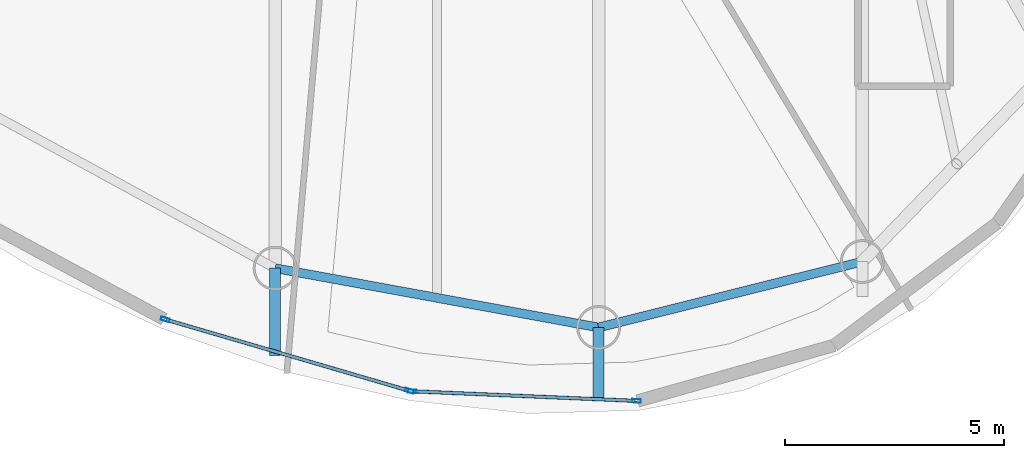
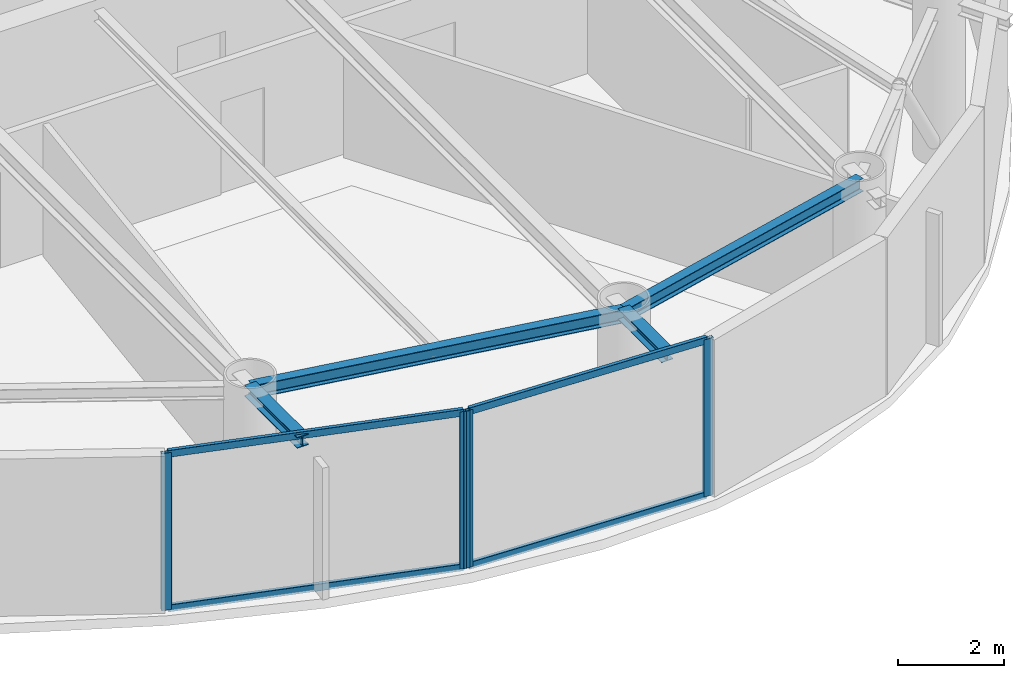
# One storey, part 2 of 18: 8 members, 4 beams, 2 elements without a shape of their own.
"""IFC4 building model written with IfcOpenShell, lengths in metres."""

from ifc_helpers import new_model, si_unit, direction, frame, origin, origin_2d, place, context, subcontext, project, spatial, hollow_rectangle, i_section, extrude, material, layer, layer_set, material_profile, profile_set, type_object, element, aggregate, save


model = new_model("IFC4")

# Units and contexts
model_context = context("Model", 3, precision=1e-05, world=origin(), true_north=direction((0.0, 1.0)))
body_context = subcontext(model_context, "Body", "Model", "MODEL_VIEW")
ifc_project = project(units=[si_unit("LENGTHUNIT", "METRE"), si_unit("AREAUNIT", "SQUARE_METRE"), si_unit("VOLUMEUNIT", "CUBIC_METRE"), si_unit("PLANEANGLEUNIT", "RADIAN"), si_unit("MASSUNIT", "GRAM", prefix="KILO")], contexts=[model_context])

# Site, building, storey
site_placement = place(None, origin())
site = spatial("IfcSite", under=ifc_project, at=site_placement, CompositionType="ELEMENT")
building_placement = place(site_placement, origin())
building = spatial("IfcBuilding", under=site, at=building_placement, Name="Bramvorn Convention Spire", CompositionType="ELEMENT")
storey_placement = place(building_placement, frame((0.0, 0.0, 288.25)))
storey = spatial("IfcBuildingStorey", under=building, at=storey_placement, Name="L73", CompositionType="ELEMENT", Elevation=288.25)

# Beams
ifc_material_1 = material(Name="Steel CSA G40.21 Grade 350 (350W)", Category="steel")
ifc_material_profile_1 = material_profile(ifc_material_1, i_section(OverallWidth=0.25390625, OverallDepth=0.2529296875, WebThickness=0.008544921875, FlangeThickness=0.01416015625, FilletRadius=0.011962890625, at=origin_2d()))
ifc_profile_set_1 = profile_set([ifc_material_profile_1], Name="Steel CSA G40.21 Grade 350 (350W) - W250X73")
beam_type_1 = type_object("IfcBeamType", Name="BM-W250X73", PredefinedType="BEAM", material=ifc_profile_set_1)
beam_1_placement = place(storey_placement, frame((35.8154296875, 6.44921875, 3.49853515625), z_axis=(0.0, -1.0, 0.0), x_axis=(1.0, 0.0, 0.0)))
element("IfcBeam", 1, at=beam_1_placement, inside=storey, type_object=beam_type_1, Name="L73 slab-edge cantilever tip beam MC15", PredefinedType="BEAM", context=body_context, shape_type="SweptSolid", body=[
    extrude(i_section(OverallWidth=0.25390625, OverallDepth=0.2529296875, WebThickness=0.008544921875, FlangeThickness=0.01416015625, FilletRadius=0.011962890625, at=origin_2d()), origin(), (0.0, 0.0, 1.0), 1.99462890625),
])
beam_2_placement = place(storey_placement, frame((43.1884765625, 5.09912109375, 3.49853515625), z_axis=(0.0, -1.0, 0.0), x_axis=(1.0, 0.0, 0.0)))
element("IfcBeam", 2, at=beam_2_placement, inside=storey, type_object=beam_type_1, Name="L73 slab-edge cantilever tip beam MC16", PredefinedType="BEAM", context=body_context, shape_type="SweptSolid", body=[
    extrude(i_section(OverallWidth=0.25390625, OverallDepth=0.2529296875, WebThickness=0.008544921875, FlangeThickness=0.01416015625, FilletRadius=0.011962890625, at=origin_2d()), origin(), (0.0, 0.0, 1.0), 1.645751953125),
])
ifc_material_profile_2 = material_profile(ifc_material_1, i_section(OverallWidth=0.202880859375, OverallDepth=0.302978515625, WebThickness=0.007568359375, FlangeThickness=0.01318359375, FilletRadius=0.013916015625, at=origin_2d()))
ifc_profile_set_2 = profile_set([ifc_material_profile_2], Name="Steel CSA G40.21 Grade 350 (350W) - W310X60")
beam_type_2 = type_object("IfcBeamType", Name="BM-W310X60", PredefinedType="JOIST", material=ifc_profile_set_2)
beam_3_placement = place(storey_placement, frame((35.8154296875, 6.44921875, 3.473388671875), z_axis=(0.983645049461, -0.180117785547, 0.0), x_axis=(0.180117785547, 0.983645049461, 0.0)))
element("IfcBeam", 3, at=beam_3_placement, inside=storey, type_object=beam_type_2, Name="L73 mega-column ring beam 15", PredefinedType="JOIST", context=body_context, shape_type="SweptSolid", body=[
    extrude(i_section(OverallWidth=0.202880859375, OverallDepth=0.302978515625, WebThickness=0.007568359375, FlangeThickness=0.01318359375, FilletRadius=0.013916015625, at=origin_2d()), origin(), (0.0, 0.0, 1.0), 7.49560546875),
])
beam_4_placement = place(storey_placement, frame((43.1884765625, 5.09912109375, 3.473388671875), z_axis=(0.970177255997, 0.24239655927, 0.0), x_axis=(-0.24239655927, 0.970177255997, 0.0)))
element("IfcBeam", 4, at=beam_4_placement, inside=storey, type_object=beam_type_2, Name="L73 mega-column ring beam 16", PredefinedType="JOIST", context=body_context, shape_type="SweptSolid", body=[
    extrude(i_section(OverallWidth=0.202880859375, OverallDepth=0.302978515625, WebThickness=0.007568359375, FlangeThickness=0.01318359375, FilletRadius=0.013916015625, at=origin_2d()), origin(), (0.0, 0.0, 1.0), 6.1962890625),
])

# Curtain wall, members
ifc_material_2 = material(Name="Anodised Bronze Unitised Curtain Wall", Category="aluminium")
ifc_layer = layer(ifc_material_2, 0.179931640625)
ifc_layer_set = layer_set([ifc_layer], Name="Anodised Bronze Unitised Curtain Wall - CW-OFF-FRIT")
curtain_wall_type = type_object("IfcCurtainWallType", Name="CW-OFF-FRIT", PredefinedType="USERDEFINED", material=ifc_layer_set)
curtain_wall_1_placement = place(storey_placement, origin())
curtain_wall_1 = element("IfcCurtainWall", 5, at=curtain_wall_1_placement, inside=storey, type_object=curtain_wall_type, Name="L73 fritted glass curtain wall 22", ObjectType="UNITISED CURTAIN WALL", PredefinedType="USERDEFINED")
ifc_material_3 = material(Name="Anodised Bronze Aluminium 6063-T6", Category="aluminium")
ifc_material_profile_3 = material_profile(ifc_material_3, hollow_rectangle(XDim=0.080078125, YDim=0.199951171875, WallThickness=0.00390625, InnerFilletRadius=0.0009765625, OuterFilletRadius=0.00390625, at=origin_2d()))
ifc_profile_set_3 = profile_set([ifc_material_profile_3], Name="Anodised Bronze Aluminium 6063-T6 - CWM80X200")
member_type_1 = type_object("IfcMemberType", Name="CW-MUL-180", PredefinedType="MULLION", material=ifc_profile_set_3)
member_1_placement = place(storey_placement, frame((38.876708984375, 3.654296875, 0.0), z_axis=(0.0, 0.0, 1.0), x_axis=(-0.280560219523, -0.959836425242, 0.0)))
member_1 = element("IfcMember", 6, at=member_1_placement, type_object=member_type_1, Name="CW3 mullion 1", PredefinedType="MULLION", context=body_context, shape_type="SweptSolid", body=[
    extrude(hollow_rectangle(XDim=0.080078125, YDim=0.199951171875, WallThickness=0.00390625, InnerFilletRadius=0.0009765625, OuterFilletRadius=0.00390625, at=origin_2d()), origin(), (0.0, 0.0, 1.0), 3.625),
])
member_2_placement = place(storey_placement, frame((33.309814453125, 5.28173828125, 0.0), z_axis=(0.0, 0.0, 1.0), x_axis=(-0.280560219523, -0.959836425242, 0.0)))
member_2 = element("IfcMember", 7, at=member_2_placement, type_object=member_type_1, Name="CW3 mullion 2", PredefinedType="MULLION", context=body_context, shape_type="SweptSolid", body=[
    extrude(hollow_rectangle(XDim=0.080078125, YDim=0.199951171875, WallThickness=0.00390625, InnerFilletRadius=0.0009765625, OuterFilletRadius=0.00390625, at=origin_2d()), origin(), (0.0, 0.0, 1.0), 3.625),
])

curtain_wall_2_placement = place(storey_placement, origin())
curtain_wall_2 = element("IfcCurtainWall", 8, at=curtain_wall_2_placement, inside=storey, type_object=curtain_wall_type, Name="L73 fritted glass curtain wall 23", ObjectType="UNITISED CURTAIN WALL", PredefinedType="USERDEFINED")
member_3_placement = place(storey_placement, frame((44.050048828125, 3.425537109375, 0.0), z_axis=(0.0, 0.0, 1.0), x_axis=(-0.04282554751, -0.999082565397, 0.0)))
member_3 = element("IfcMember", 9, at=member_3_placement, type_object=member_type_1, Name="CW3 mullion 1", PredefinedType="MULLION", context=body_context, shape_type="SweptSolid", body=[
    extrude(hollow_rectangle(XDim=0.080078125, YDim=0.199951171875, WallThickness=0.00390625, InnerFilletRadius=0.0009765625, OuterFilletRadius=0.00390625, at=origin_2d()), origin(), (0.0, 0.0, 1.0), 3.625),
])
member_4_placement = place(storey_placement, frame((38.935546875, 3.644775390625, 0.0), z_axis=(0.0, 0.0, 1.0), x_axis=(-0.04282554751, -0.999082565397, 0.0)))
member_4 = element("IfcMember", 10, at=member_4_placement, type_object=member_type_1, Name="CW3 mullion 2", PredefinedType="MULLION", context=body_context, shape_type="SweptSolid", body=[
    extrude(hollow_rectangle(XDim=0.080078125, YDim=0.199951171875, WallThickness=0.00390625, InnerFilletRadius=0.0009765625, OuterFilletRadius=0.00390625, at=origin_2d()), origin(), (0.0, 0.0, 1.0), 3.625),
])

# Member
ifc_material_profile_4 = material_profile(ifc_material_3, hollow_rectangle(XDim=0.080078125, YDim=0.159912109375, WallThickness=0.00390625, InnerFilletRadius=0.0009765625, OuterFilletRadius=0.00390625, at=origin_2d()))
ifc_profile_set_4 = profile_set([ifc_material_profile_4], Name="Anodised Bronze Aluminium 6063-T6 - CWT80X160")
member_type_2 = type_object("IfcMemberType", Name="CW-TRN-150", PredefinedType="USERDEFINED", material=ifc_profile_set_4)
member_5_placement = place(storey_placement, frame((38.847900390625, 3.662841796875, 0.030029296875), z_axis=(-0.959840260589, 0.280547097924, 0.0), x_axis=(-0.280547097924, -0.959840260589, 0.0)))
member_5 = element("IfcMember", 11, at=member_5_placement, type_object=member_type_2, Name="CW3 transom 1.1", ObjectType="TRANSOM", PredefinedType="USERDEFINED", context=body_context, shape_type="SweptSolid", body=[
    extrude(hollow_rectangle(XDim=0.080078125, YDim=0.159912109375, WallThickness=0.00390625, InnerFilletRadius=0.0009765625, OuterFilletRadius=0.00390625, at=origin_2d()), origin(), (0.0, 0.0, 1.0), 5.739990234375),
])

member_6_placement = place(storey_placement, frame((38.847900390625, 3.662841796875, 3.594970703125), z_axis=(-0.959840260589, 0.280547097924, 0.0), x_axis=(-0.280547097924, -0.959840260589, 0.0)))
member_6 = element("IfcMember", 12, at=member_6_placement, type_object=member_type_2, Name="CW3 transom 1.2", ObjectType="TRANSOM", PredefinedType="USERDEFINED", context=body_context, shape_type="SweptSolid", body=[
    extrude(hollow_rectangle(XDim=0.080078125, YDim=0.159912109375, WallThickness=0.00390625, InnerFilletRadius=0.0009765625, OuterFilletRadius=0.00390625, at=origin_2d()), origin(), (0.0, 0.0, 1.0), 5.739990234375),
])

aggregate(curtain_wall_1, [member_1, member_2, member_5, member_6])

member_7_placement = place(storey_placement, frame((44.02001953125, 3.4267578125, 0.030029296875), z_axis=(-0.99908345607, 0.042804763828, 0.0), x_axis=(-0.042804763828, -0.99908345607, 0.0)))
member_7 = element("IfcMember", 13, at=member_7_placement, type_object=member_type_2, Name="CW3 transom 1.1", ObjectType="TRANSOM", PredefinedType="USERDEFINED", context=body_context, shape_type="SweptSolid", body=[
    extrude(hollow_rectangle(XDim=0.080078125, YDim=0.159912109375, WallThickness=0.00390625, InnerFilletRadius=0.0009765625, OuterFilletRadius=0.00390625, at=origin_2d()), origin(), (0.0, 0.0, 1.0), 5.05908203125),
])

member_8_placement = place(storey_placement, frame((44.02001953125, 3.4267578125, 3.594970703125), z_axis=(-0.99908345607, 0.042804763828, 0.0), x_axis=(-0.042804763828, -0.99908345607, 0.0)))
member_8 = element("IfcMember", 14, at=member_8_placement, type_object=member_type_2, Name="CW3 transom 1.2", ObjectType="TRANSOM", PredefinedType="USERDEFINED", context=body_context, shape_type="SweptSolid", body=[
    extrude(hollow_rectangle(XDim=0.080078125, YDim=0.159912109375, WallThickness=0.00390625, InnerFilletRadius=0.0009765625, OuterFilletRadius=0.00390625, at=origin_2d()), origin(), (0.0, 0.0, 1.0), 5.05908203125),
])

aggregate(curtain_wall_2, [member_3, member_4, member_7, member_8])

save(model, "model.ifc")
